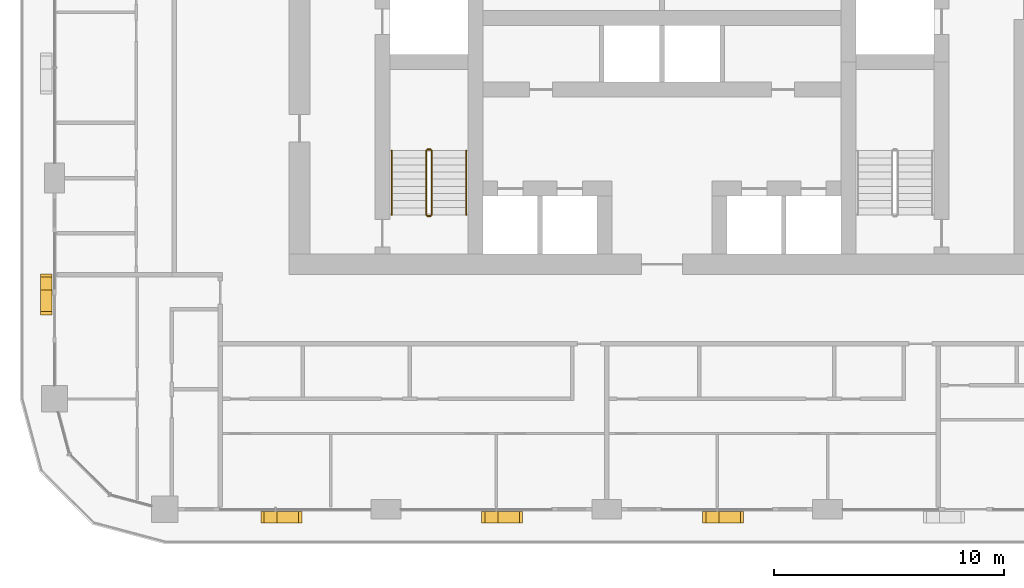
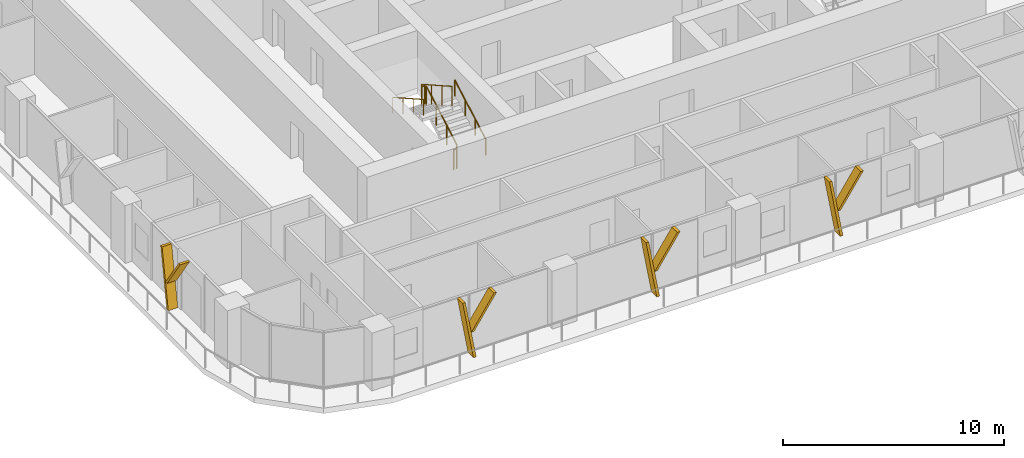
# One storey, part 16 of 21: 8 shading devices, 6 railings.
"""IFC4 building model written with IfcOpenShell, lengths in metres."""

from ifc_helpers import new_model, si_unit, direction, frame, origin, origin_2d, place, context, subcontext, project, spatial, polyline, circle, outline, extrude, material, type_object, element, save


model = new_model("IFC4")

# Units and contexts
model_context = context("Model", 3, precision=1e-05, world=origin(), true_north=direction((0.0, 1.0)))
body_context = subcontext(model_context, "Body", "Model", "MODEL_VIEW")
ifc_project = project(units=[si_unit("LENGTHUNIT", "METRE"), si_unit("AREAUNIT", "SQUARE_METRE"), si_unit("VOLUMEUNIT", "CUBIC_METRE"), si_unit("PLANEANGLEUNIT", "RADIAN"), si_unit("MASSUNIT", "GRAM", prefix="KILO")], contexts=[model_context])

# Site, building, storey
site_placement = place(None, origin())
site = spatial("IfcSite", under=ifc_project, at=site_placement, CompositionType="ELEMENT")
building_placement = place(site_placement, origin())
building = spatial("IfcBuilding", under=site, at=building_placement, Name="Madar Terraces", CompositionType="ELEMENT")
storey_placement = place(building_placement, frame((0.0, 0.0, 96.199951171875)))
storey = spatial("IfcBuildingStorey", under=building, at=storey_placement, Name="L24", CompositionType="ELEMENT", Elevation=96.199951171875)

# Shading devices
ifc_material_1 = material(Name="Aluminium, black anodised", Category="aluminium")
shading_device_type = type_object("IfcShadingDeviceType", Name="Facade fin blade 140 x 500", PredefinedType="USERDEFINED", material=ifc_material_1)
shading_device_1_placement = place(storey_placement, frame((14.330078125, 4.449951171875, 0.0), z_axis=(0.0, 0.0, 1.0), x_axis=(1.0, 0.0, 0.0)))
element("IfcShadingDevice", 1, at=shading_device_1_placement, inside=storey, type_object=shading_device_type, Name="FIN L24 S1", ObjectType="FIN", PredefinedType="USERDEFINED", context=body_context, shape_type="SweptSolid", body=[
    extrude(outline(polyline([(0.0, 0.0), (0.139892578125, 0.0), (-0.42431640625, 3.199951171875), (-0.564208984375, 3.199951171875), (0.0, 0.0)])), frame((0.0, 0.25, 0.0), z_axis=(0.0, -1.0, 0.0), x_axis=(1.0, 0.0, 0.0)), (0.0, 0.0, 1.0), 0.5),
])
shading_device_2_placement = place(storey_placement, frame((14.216064453125, 4.449951171875, 1.43994140625), z_axis=(0.0, 0.0, 1.0), x_axis=(1.0, 0.0, 0.0)))
element("IfcShadingDevice", 2, at=shading_device_2_placement, inside=storey, type_object=shading_device_type, Name="FIN L24 S1 branch", ObjectType="FIN", PredefinedType="USERDEFINED", context=body_context, shape_type="SweptSolid", body=[
    extrude(outline(polyline([(0.0, 0.0), (0.14013671875, 0.0), (1.32958984375, 1.760009765625), (1.189697265625, 1.760009765625), (0.0, 0.0)])), frame((0.0, 0.25, 0.0), z_axis=(0.0, -1.0, 0.0), x_axis=(1.0, 0.0, 0.0)), (0.0, 0.0, 1.0), 0.5),
])
shading_device_3_placement = place(storey_placement, frame((23.929931640625, 4.449951171875, 0.0), z_axis=(0.0, 0.0, 1.0), x_axis=(1.0, 0.0, 0.0)))
element("IfcShadingDevice", 3, at=shading_device_3_placement, inside=storey, type_object=shading_device_type, Name="FIN L24 S2", ObjectType="FIN", PredefinedType="USERDEFINED", context=body_context, shape_type="SweptSolid", body=[
    extrude(outline(polyline([(0.0, 0.0), (0.14013671875, 0.0), (-0.42431640625, 3.199951171875), (-0.564208984375, 3.199951171875), (0.0, 0.0)])), frame((0.0, 0.25, 0.0), z_axis=(0.0, -1.0, 0.0), x_axis=(1.0, 0.0, 0.0)), (0.0, 0.0, 1.0), 0.5),
])
shading_device_4_placement = place(storey_placement, frame((23.816162109375, 4.449951171875, 1.43994140625), z_axis=(0.0, 0.0, 1.0), x_axis=(1.0, 0.0, 0.0)))
element("IfcShadingDevice", 4, at=shading_device_4_placement, inside=storey, type_object=shading_device_type, Name="FIN L24 S2 branch", ObjectType="FIN", PredefinedType="USERDEFINED", context=body_context, shape_type="SweptSolid", body=[
    extrude(outline(polyline([(0.0, 0.0), (0.139892578125, 0.0), (1.32958984375, 1.760009765625), (1.189697265625, 1.760009765625), (0.0, 0.0)])), frame((0.0, 0.25, 0.0), z_axis=(0.0, -1.0, 0.0), x_axis=(1.0, 0.0, 0.0)), (0.0, 0.0, 1.0), 0.5),
])
shading_device_5_placement = place(storey_placement, frame((33.530029296875, 4.449951171875, 0.0), z_axis=(0.0, 0.0, 1.0), x_axis=(1.0, 0.0, 0.0)))
element("IfcShadingDevice", 5, at=shading_device_5_placement, inside=storey, type_object=shading_device_type, Name="FIN L24 S3", ObjectType="FIN", PredefinedType="USERDEFINED", context=body_context, shape_type="SweptSolid", body=[
    extrude(outline(polyline([(0.0, 0.0), (0.139892578125, 0.0), (-0.42431640625, 3.199951171875), (-0.564208984375, 3.199951171875), (0.0, 0.0)])), frame((0.0, 0.25, 0.0), z_axis=(0.0, -1.0, 0.0), x_axis=(1.0, 0.0, 0.0)), (0.0, 0.0, 1.0), 0.5),
])
shading_device_6_placement = place(storey_placement, frame((33.416015625, 4.449951171875, 1.43994140625), z_axis=(0.0, 0.0, 1.0), x_axis=(1.0, 0.0, 0.0)))
element("IfcShadingDevice", 6, at=shading_device_6_placement, inside=storey, type_object=shading_device_type, Name="FIN L24 S3 branch", ObjectType="FIN", PredefinedType="USERDEFINED", context=body_context, shape_type="SweptSolid", body=[
    extrude(outline(polyline([(0.0, 0.0), (0.14013671875, 0.0), (1.32958984375, 1.760009765625), (1.189697265625, 1.760009765625), (0.0, 0.0)])), frame((0.0, 0.25, 0.0), z_axis=(0.0, -1.0, 0.0), x_axis=(1.0, 0.0, 0.0)), (0.0, 0.0, 1.0), 0.5),
])
shading_device_7_placement = place(storey_placement, frame((4.449951171875, 14.469970703125, 0.0), z_axis=(0.0, 0.0, 1.0), x_axis=(0.0, -1.0, 0.0)))
element("IfcShadingDevice", 7, at=shading_device_7_placement, inside=storey, type_object=shading_device_type, Name="FIN L24 W4", ObjectType="FIN", PredefinedType="USERDEFINED", context=body_context, shape_type="SweptSolid", body=[
    extrude(outline(polyline([(0.0, 0.0), (0.139892578125, 0.0), (-0.42431640625, 3.199951171875), (-0.564208984375, 3.199951171875), (0.0, 0.0)])), frame((0.0, 0.25, 0.0), z_axis=(0.0, -1.0, 0.0), x_axis=(1.0, 0.0, 0.0)), (0.0, 0.0, 1.0), 0.5),
])
shading_device_8_placement = place(storey_placement, frame((4.449951171875, 14.583984375, 1.43994140625), z_axis=(0.0, 0.0, 1.0), x_axis=(0.0, -1.0, 0.0)))
element("IfcShadingDevice", 8, at=shading_device_8_placement, inside=storey, type_object=shading_device_type, Name="FIN L24 W4 branch", ObjectType="FIN", PredefinedType="USERDEFINED", context=body_context, shape_type="SweptSolid", body=[
    extrude(outline(polyline([(0.0, 0.0), (0.14013671875, 0.0), (1.32958984375, 1.760009765625), (1.189697265625, 1.760009765625), (0.0, 0.0)])), frame((0.0, 0.25, 0.0), z_axis=(0.0, -1.0, 0.0), x_axis=(1.0, 0.0, 0.0)), (0.0, 0.0, 1.0), 0.5),
])

# Railings
ifc_material_2 = material(Name="Stainless steel railing", Category="steel")
railing_type_1 = type_object("IfcRailingType", Name="Stair guard 1100", PredefinedType="GUARDRAIL", material=ifc_material_2)
railing_1_placement = place(storey_placement, frame((21.199951171875, 17.60009765625, 0.175048828125)))
element("IfcRailing", 9, at=railing_1_placement, inside=storey, type_object=railing_type_1, Name="L24 ST1 stair guard 1", PredefinedType="GUARDRAIL", context=body_context, shape_type="SweptSolid", body=[
    extrude(circle(Radius=0.02392578125, at=origin_2d()), frame((0.0, 0.0, 1.076171875), z_axis=(0.0, 0.870815363784, 0.491610213684), x_axis=(-1.0, 0.0, 0.0)), (0.0, 0.0, 1.0), 3.20361328125),
    extrude(circle(Radius=0.02099609375, at=origin_2d()), origin(), (0.0, 0.0, 1.0), 1.052001953125),
    extrude(circle(Radius=0.02099609375, at=origin_2d()), frame((0.0, 0.929931640625, 0.52490234375)), (0.0, 0.0, 1.0), 1.052001953125),
    extrude(circle(Radius=0.02099609375, at=origin_2d()), frame((0.0, 1.85986328125, 1.050048828125)), (0.0, 0.0, 1.0), 1.052001953125),
    extrude(circle(Radius=0.02099609375, at=origin_2d()), frame((0.0, 2.789794921875, 1.574951171875)), (0.0, 0.0, 1.0), 1.052001953125),
])
railing_2_placement = place(storey_placement, frame((21.14990234375, 20.43994140625, 1.75)))
element("IfcRailing", 10, at=railing_2_placement, inside=storey, type_object=railing_type_1, Name="L24 ST1 stair guard 2", PredefinedType="GUARDRAIL", context=body_context, shape_type="SweptSolid", body=[
    extrude(circle(Radius=0.02392578125, at=origin_2d()), frame((0.0, 0.0, 1.076171875), z_axis=(-1.0, 0.0, 0.0), x_axis=(0.0, -1.0, 0.0)), (0.0, 0.0, 1.0), 0.14990234375),
    extrude(circle(Radius=0.02099609375, at=origin_2d()), origin(), (0.0, 0.0, 1.0), 1.052001953125),
    extrude(circle(Radius=0.02099609375, at=origin_2d()), frame((-0.14990234375, 0.0, 0.0)), (0.0, 0.0, 1.0), 1.052001953125),
])
railing_3_placement = place(storey_placement, frame((20.949951171875, 20.389892578125, 1.925048828125)))
element("IfcRailing", 11, at=railing_3_placement, inside=storey, type_object=railing_type_1, Name="L24 ST1 stair guard 3", PredefinedType="GUARDRAIL", context=body_context, shape_type="SweptSolid", body=[
    extrude(circle(Radius=0.02392578125, at=origin_2d()), frame((0.0, 0.0, 1.076171875), z_axis=(0.0, -0.870815363784, 0.491610213684), x_axis=(1.0, 0.0, 0.0)), (0.0, 0.0, 1.0), 3.20361328125),
    extrude(circle(Radius=0.02099609375, at=origin_2d()), origin(), (0.0, 0.0, 1.0), 1.052001953125),
    extrude(circle(Radius=0.02099609375, at=origin_2d()), frame((0.0, -0.929931640625, 0.52490234375)), (0.0, 0.0, 1.0), 1.052001953125),
    extrude(circle(Radius=0.02099609375, at=origin_2d()), frame((0.0, -1.85986328125, 1.050048828125)), (0.0, 0.0, 1.0), 1.052001953125),
    extrude(circle(Radius=0.02099609375, at=origin_2d()), frame((0.0, -2.789794921875, 1.574951171875)), (0.0, 0.0, 1.0), 1.052001953125),
])
railing_4_placement = place(storey_placement, frame((21.14990234375, 17.550048828125, 0.0)))
element("IfcRailing", 12, at=railing_4_placement, inside=storey, type_object=railing_type_1, Name="L24 ST1 stair guard 4", PredefinedType="GUARDRAIL", context=body_context, shape_type="SweptSolid", body=[
    extrude(circle(Radius=0.02392578125, at=origin_2d()), frame((0.0, 0.0, 1.076171875), z_axis=(-1.0, 0.0, 0.0), x_axis=(0.0, -1.0, 0.0)), (0.0, 0.0, 1.0), 0.14990234375),
    extrude(circle(Radius=0.02099609375, at=origin_2d()), origin(), (0.0, 0.0, 1.0), 1.052001953125),
    extrude(circle(Radius=0.02099609375, at=origin_2d()), frame((-0.14990234375, 0.0, 0.0)), (0.0, 0.0, 1.0), 1.052001953125),
])
ifc_material_3 = material(Name="Stainless steel railing", Category="steel")
railing_type_2 = type_object("IfcRailingType", Name="Stair handrail 900", PredefinedType="HANDRAIL", material=ifc_material_3)
railing_5_placement = place(storey_placement, frame((22.699951171875, 17.60009765625, 0.175048828125)))
element("IfcRailing", 13, at=railing_5_placement, inside=storey, type_object=railing_type_2, Name="L24 ST1 stair handrail 1", PredefinedType="HANDRAIL", context=body_context, shape_type="SweptSolid", body=[
    extrude(circle(Radius=0.02392578125, at=origin_2d()), frame((0.0, 0.0, 0.8759765625), z_axis=(0.0, 0.870815363784, 0.491610213684), x_axis=(-1.0, 0.0, 0.0)), (0.0, 0.0, 1.0), 3.20361328125),
    extrude(circle(Radius=0.02099609375, at=origin_2d()), origin(), (0.0, 0.0, 1.0), 0.851806640625),
    extrude(circle(Radius=0.02099609375, at=origin_2d()), frame((0.0, 0.929931640625, 0.52490234375)), (0.0, 0.0, 1.0), 0.851806640625),
    extrude(circle(Radius=0.02099609375, at=origin_2d()), frame((0.0, 1.85986328125, 1.050048828125)), (0.0, 0.0, 1.0), 0.851806640625),
    extrude(circle(Radius=0.02099609375, at=origin_2d()), frame((0.0, 2.789794921875, 1.574951171875)), (0.0, 0.0, 1.0), 0.851806640625),
])
railing_6_placement = place(storey_placement, frame((19.449951171875, 20.389892578125, 1.925048828125)))
element("IfcRailing", 14, at=railing_6_placement, inside=storey, type_object=railing_type_2, Name="L24 ST1 stair handrail 2", PredefinedType="HANDRAIL", context=body_context, shape_type="SweptSolid", body=[
    extrude(circle(Radius=0.02392578125, at=origin_2d()), frame((0.0, 0.0, 0.8759765625), z_axis=(0.0, -0.870815363784, 0.491610213684), x_axis=(1.0, 0.0, 0.0)), (0.0, 0.0, 1.0), 3.20361328125),
    extrude(circle(Radius=0.02099609375, at=origin_2d()), origin(), (0.0, 0.0, 1.0), 0.851806640625),
    extrude(circle(Radius=0.02099609375, at=origin_2d()), frame((0.0, -0.929931640625, 0.52490234375)), (0.0, 0.0, 1.0), 0.851806640625),
    extrude(circle(Radius=0.02099609375, at=origin_2d()), frame((0.0, -1.85986328125, 1.050048828125)), (0.0, 0.0, 1.0), 0.851806640625),
    extrude(circle(Radius=0.02099609375, at=origin_2d()), frame((0.0, -2.789794921875, 1.574951171875)), (0.0, 0.0, 1.0), 0.851806640625),
])

save(model, "model.ifc")
